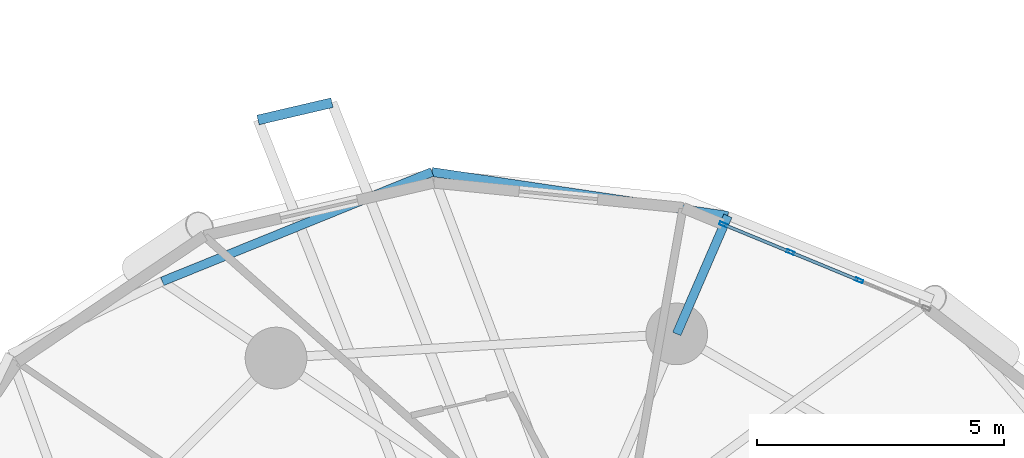
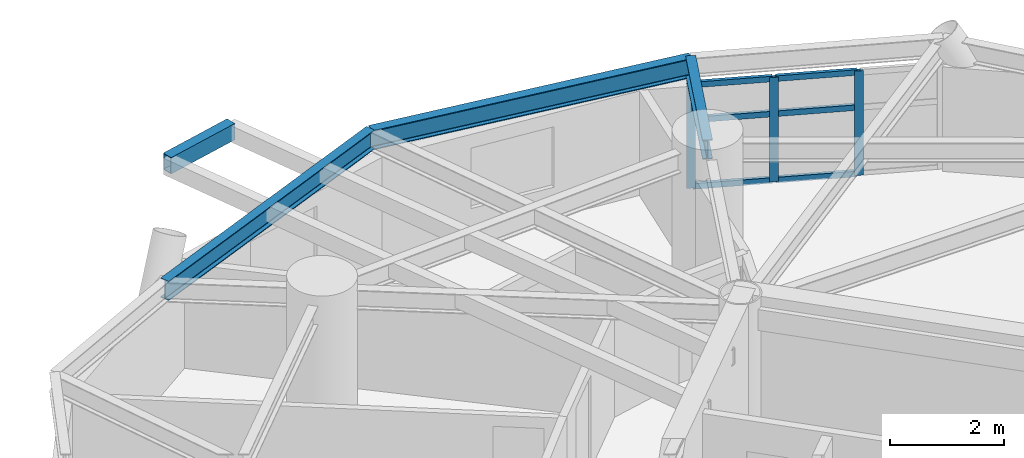
# One storey, part 7 of 18: 9 members, 4 beams, 1 element without a shape of its own.
"""IFC4 building model written with IfcOpenShell, lengths in metres."""

from ifc_helpers import new_model, si_unit, direction, frame, origin, origin_2d, place, context, subcontext, project, spatial, hollow_rectangle, i_section, extrude, material, layer, layer_set, material_profile, profile_set, type_object, element, aggregate, save


model = new_model("IFC4")

# Units and contexts
model_context = context("Model", 3, precision=1e-05, world=origin(), true_north=direction((0.0, 1.0)))
body_context = subcontext(model_context, "Body", "Model", "MODEL_VIEW")
ifc_project = project(units=[si_unit("LENGTHUNIT", "METRE"), si_unit("AREAUNIT", "SQUARE_METRE"), si_unit("VOLUMEUNIT", "CUBIC_METRE"), si_unit("PLANEANGLEUNIT", "RADIAN"), si_unit("MASSUNIT", "GRAM", prefix="KILO")], contexts=[model_context])

# Site, building, storey
site_placement = place(None, origin())
site = spatial("IfcSite", under=ifc_project, at=site_placement, CompositionType="ELEMENT")
building_placement = place(site_placement, origin())
building = spatial("IfcBuilding", under=site, at=building_placement, Name="Cununo Teusaquillo Station Towers", CompositionType="ELEMENT")
storey_placement = place(building_placement, frame((0.0, 0.0, 157.419921875)))
storey = spatial("IfcBuildingStorey", under=building, at=storey_placement, Name="L49", CompositionType="ELEMENT", Elevation=157.419921875)

# Beams
ifc_material_1 = material(Name="Steel ASTM A572 Grade 50", Category="steel")
ifc_material_profile_1 = material_profile(ifc_material_1, i_section(OverallWidth=0.180908203125, OverallDepth=0.4169921875, WebThickness=0.010986328125, FlangeThickness=0.018310546875, FilletRadius=0.012939453125, at=origin_2d()), Name="W16X57")
ifc_profile_set_1 = profile_set([ifc_material_profile_1], Name="Steel ASTM A572 Grade 50")
beam_type_1 = type_object("IfcBeamType", Name="BM-RAD-G2", PredefinedType="BEAM", material=ifc_profile_set_1)
beam_1_placement = place(storey_placement, frame((58.291015625, 37.63525390625, 2.481689453125), z_axis=(0.397431352311, 0.917631908883, 0.0), x_axis=(-0.917631908883, 0.397431352311, 0.0)))
element("IfcBeam", 1, at=beam_1_placement, inside=storey, type_object=beam_type_1, Name="L49 Tower B Perimeter Overhang Girder 02B", PredefinedType="BEAM", context=body_context, shape_type="SweptSolid", body=[
    extrude(i_section(OverallWidth=0.180908203125, OverallDepth=0.4169921875, WebThickness=0.010986328125, FlangeThickness=0.018310546875, FilletRadius=0.012939453125, at=origin_2d()), origin(), (0.0, 0.0, 1.0), 2.607177734375),
])
ifc_material_2 = material(Name="Steel ASTM A572 Grade 50", Category="steel")
ifc_material_profile_2 = material_profile(ifc_material_2, i_section(OverallWidth=0.180908203125, OverallDepth=0.4169921875, WebThickness=0.010986328125, FlangeThickness=0.018310546875, FilletRadius=0.012939453125, at=origin_2d()), Name="W16X57")
ifc_profile_set_2 = profile_set([ifc_material_profile_2], Name="Steel ASTM A572 Grade 50")
beam_type_2 = type_object("IfcBeamType", Name="BM-RING-Z3", PredefinedType="SPANDREL", material=ifc_profile_set_2)
beam_2_placement = place(storey_placement, frame((59.3271484375, 40.027587890625, 2.481689453125), z_axis=(-0.989205409176, 0.146535519435, 0.0), x_axis=(-0.146535519435, -0.989205409176, 0.0)))
element("IfcBeam", 2, at=beam_2_placement, inside=storey, type_object=beam_type_2, Name="L49 Tower B Spandrel Ring Beam 03", PredefinedType="SPANDREL", context=body_context, shape_type="SweptSolid", body=[
    extrude(i_section(OverallWidth=0.180908203125, OverallDepth=0.4169921875, WebThickness=0.010986328125, FlangeThickness=0.018310546875, FilletRadius=0.012939453125, at=origin_2d()), origin(), (0.0, 0.0, 1.0), 6.0595703125),
])
beam_3_placement = place(storey_placement, frame((53.3330078125, 40.91552734375, 2.481689453125), z_axis=(-0.926667183359, -0.375882869104, 0.0), x_axis=(0.375882869104, -0.926667183359, 0.0)))
element("IfcBeam", 3, at=beam_3_placement, inside=storey, type_object=beam_type_2, Name="L49 Tower B Spandrel Ring Beam 04", PredefinedType="SPANDREL", context=body_context, shape_type="SweptSolid", body=[
    extrude(i_section(OverallWidth=0.180908203125, OverallDepth=0.4169921875, WebThickness=0.010986328125, FlangeThickness=0.018310546875, FilletRadius=0.012939453125, at=origin_2d()), origin(), (0.0, 0.0, 1.0), 5.8974609375),
])
ifc_material_3 = material(Name="Steel EN 10025-2 S355J2", Category="steel")
ifc_material_profile_3 = material_profile(ifc_material_3, hollow_rectangle(XDim=0.199951171875, YDim=0.35009765625, WallThickness=0.013916015625, at=origin_2d()), Name="RHS 350x200x14")
ifc_profile_set_3 = profile_set([ifc_material_profile_3], Name="Steel EN 10025-2 S355J2")
beam_type_3 = type_object("IfcBeamType", Name="BM-STAIR-TRIM", PredefinedType="BEAM", material=ifc_profile_set_3)
beam_4_placement = place(storey_placement, frame((51.306396484375, 42.318603515625, 2.525146484375), z_axis=(-0.973831843642, -0.227269752297, 0.0), x_axis=(0.227269752297, -0.973831843642, 0.0)))
element("IfcBeam", 4, at=beam_4_placement, inside=storey, type_object=beam_type_3, Name="L49 Tower B Balcony Edge Trimmer Beam 1", PredefinedType="BEAM", context=body_context, shape_type="SweptSolid", body=[
    extrude(hollow_rectangle(XDim=0.199951171875, YDim=0.35009765625, WallThickness=0.013916015625, at=origin_2d()), origin(), (0.0, 0.0, 1.0), 1.538330078125),
])

# Curtain wall, members
ifc_material_4 = material(Name="Operable acoustic tinted low-E double glazing", Category="glass")
ifc_layer = layer(ifc_material_4, 0.179931640625)
ifc_layer_set = layer_set([ifc_layer], Name="Operable acoustic tinted low-E double glazing")
curtain_wall_type = type_object("IfcCurtainWallType", Name="CW-SYS-06", PredefinedType="USERDEFINED", material=ifc_layer_set)
curtain_wall_placement = place(storey_placement, origin())
curtain_wall = element("IfcCurtainWall", 5, at=curtain_wall_placement, inside=storey, type_object=curtain_wall_type, Name="L49 Tower B Facade Curtain Wall C01", ObjectType="OPERABLE GLAZING", PredefinedType="USERDEFINED")
ifc_material_5 = material(Name="Anodised dark bronze aluminium EN AW-6063-T6", Category="aluminium")
ifc_material_profile_4 = material_profile(ifc_material_5, hollow_rectangle(XDim=0.06494140625, YDim=0.159912109375, WallThickness=0.00390625, at=origin_2d()), Name="CW-MULL-65x160")
ifc_profile_set_4 = profile_set([ifc_material_profile_4], Name="Anodised dark bronze aluminium EN AW-6063-T6")
member_type_1 = type_object("IfcMemberType", Name="CWM-160", PredefinedType="MULLION", material=ifc_profile_set_4)
member_1_placement = place(storey_placement, frame((59.233642578125, 39.852783203125, 0.0), z_axis=(0.0, 0.0, 1.0), x_axis=(0.381121790423, 0.924524840588, 0.0)))
member_1 = element("IfcMember", 6, at=member_1_placement, type_object=member_type_1, Name="CW-06 mullion 1", PredefinedType="MULLION", context=body_context, shape_type="SweptSolid", body=[
    extrude(hollow_rectangle(XDim=0.06494140625, YDim=0.159912109375, WallThickness=0.00390625, at=origin_2d()), origin(), (0.0, 0.0, 1.0), 2.2451171875),
])
member_2_placement = place(storey_placement, frame((60.59521484375, 39.29150390625, 0.0), z_axis=(0.0, 0.0, 1.0), x_axis=(0.381121790423, 0.924524840588, 0.0)))
member_2 = element("IfcMember", 7, at=member_2_placement, type_object=member_type_1, Name="CW-06 mullion 2", PredefinedType="MULLION", context=body_context, shape_type="SweptSolid", body=[
    extrude(hollow_rectangle(XDim=0.06494140625, YDim=0.159912109375, WallThickness=0.00390625, at=origin_2d()), origin(), (0.0, 0.0, 1.0), 2.2451171875),
])
member_3_placement = place(storey_placement, frame((61.98681640625, 38.7177734375, 0.0), z_axis=(0.0, 0.0, 1.0), x_axis=(0.381121790423, 0.924524840588, 0.0)))
member_3 = element("IfcMember", 8, at=member_3_placement, type_object=member_type_1, Name="CW-06 mullion 3", PredefinedType="MULLION", context=body_context, shape_type="SweptSolid", body=[
    extrude(hollow_rectangle(XDim=0.06494140625, YDim=0.159912109375, WallThickness=0.00390625, at=origin_2d()), origin(), (0.0, 0.0, 1.0), 2.2451171875),
])
ifc_material_6 = material(Name="Anodised dark bronze aluminium EN AW-6063-T6", Category="aluminium")
ifc_material_profile_5 = material_profile(ifc_material_6, hollow_rectangle(XDim=0.06494140625, YDim=0.1201171875, WallThickness=0.00390625, at=origin_2d()), Name="CW-TRAN-65x120")
ifc_profile_set_5 = profile_set([ifc_material_profile_5], Name="Anodised dark bronze aluminium EN AW-6063-T6")
member_type_2 = type_object("IfcMemberType", Name="CWT-120", PredefinedType="USERDEFINED", material=ifc_profile_set_5)
member_4_placement = place(storey_placement, frame((59.263916015625, 39.84033203125, 0.032470703125), z_axis=(0.924537934154, -0.381090026517, 0.0), x_axis=(0.381090026517, 0.924537934154, 0.0)))
member_4 = element("IfcMember", 9, at=member_4_placement, type_object=member_type_2, Name="CW-06 transom 1.1", ObjectType="TRANSOM", PredefinedType="USERDEFINED", context=body_context, shape_type="SweptSolid", body=[
    extrude(hollow_rectangle(XDim=0.06494140625, YDim=0.1201171875, WallThickness=0.00390625, at=origin_2d()), origin(), (0.0, 0.0, 1.0), 1.407470703125),
])
member_5_placement = place(storey_placement, frame((59.263916015625, 39.84033203125, 1.458984375), z_axis=(0.924537934154, -0.381090026517, 0.0), x_axis=(0.381090026517, 0.924537934154, 0.0)))
member_5 = element("IfcMember", 10, at=member_5_placement, type_object=member_type_2, Name="CW-06 transom 1.2", ObjectType="TRANSOM", PredefinedType="USERDEFINED", context=body_context, shape_type="SweptSolid", body=[
    extrude(hollow_rectangle(XDim=0.06494140625, YDim=0.1201171875, WallThickness=0.00390625, at=origin_2d()), origin(), (0.0, 0.0, 1.0), 1.407470703125),
])
member_6_placement = place(storey_placement, frame((59.263916015625, 39.84033203125, 2.212646484375), z_axis=(0.924537934154, -0.381090026517, 0.0), x_axis=(0.381090026517, 0.924537934154, 0.0)))
member_6 = element("IfcMember", 11, at=member_6_placement, type_object=member_type_2, Name="CW-06 transom 1.3", ObjectType="TRANSOM", PredefinedType="USERDEFINED", context=body_context, shape_type="SweptSolid", body=[
    extrude(hollow_rectangle(XDim=0.06494140625, YDim=0.1201171875, WallThickness=0.00390625, at=origin_2d()), origin(), (0.0, 0.0, 1.0), 1.407470703125),
])
member_7_placement = place(storey_placement, frame((60.625244140625, 39.279052734375, 0.032470703125), z_axis=(0.924544635002, -0.381073769616, 0.0), x_axis=(0.381073769616, 0.924544635002, 0.0)))
member_7 = element("IfcMember", 12, at=member_7_placement, type_object=member_type_2, Name="CW-06 transom 2.1", ObjectType="TRANSOM", PredefinedType="USERDEFINED", context=body_context, shape_type="SweptSolid", body=[
    extrude(hollow_rectangle(XDim=0.06494140625, YDim=0.1201171875, WallThickness=0.00390625, at=origin_2d()), origin(), (0.0, 0.0, 1.0), 1.440185546875),
])
member_8_placement = place(storey_placement, frame((60.625244140625, 39.279052734375, 1.458984375), z_axis=(0.924544635002, -0.381073769616, 0.0), x_axis=(0.381073769616, 0.924544635002, 0.0)))
member_8 = element("IfcMember", 13, at=member_8_placement, type_object=member_type_2, Name="CW-06 transom 2.2", ObjectType="TRANSOM", PredefinedType="USERDEFINED", context=body_context, shape_type="SweptSolid", body=[
    extrude(hollow_rectangle(XDim=0.06494140625, YDim=0.1201171875, WallThickness=0.00390625, at=origin_2d()), origin(), (0.0, 0.0, 1.0), 1.440185546875),
])
member_9_placement = place(storey_placement, frame((60.625244140625, 39.279052734375, 2.212646484375), z_axis=(0.924544635002, -0.381073769616, 0.0), x_axis=(0.381073769616, 0.924544635002, 0.0)))
member_9 = element("IfcMember", 14, at=member_9_placement, type_object=member_type_2, Name="CW-06 transom 2.3", ObjectType="TRANSOM", PredefinedType="USERDEFINED", context=body_context, shape_type="SweptSolid", body=[
    extrude(hollow_rectangle(XDim=0.06494140625, YDim=0.1201171875, WallThickness=0.00390625, at=origin_2d()), origin(), (0.0, 0.0, 1.0), 1.440185546875),
])
aggregate(curtain_wall, [member_1, member_2, member_3, member_4, member_5, member_6, member_7, member_8, member_9])

save(model, "model.ifc")
